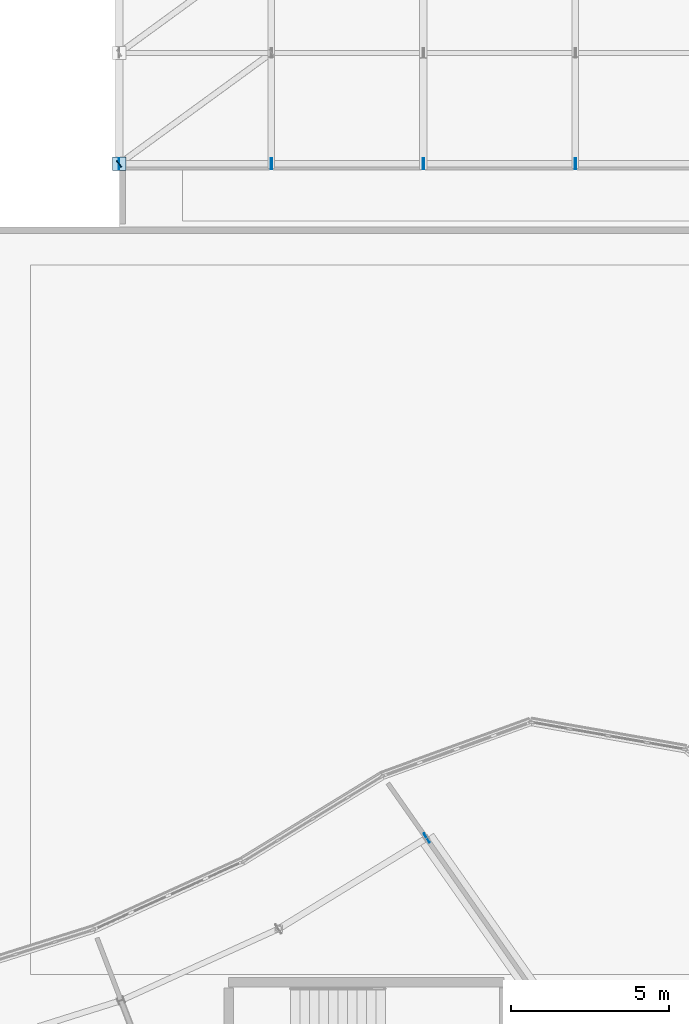
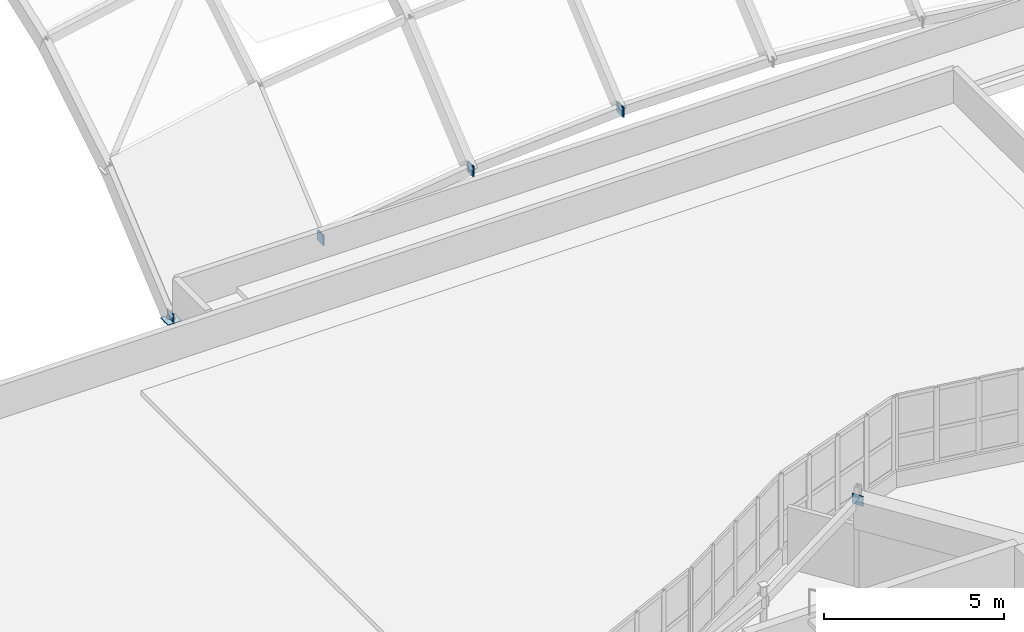
# One storey, part 87 of 128: 10 plates.
"""IFC4 building model written with IfcOpenShell, lengths in metres."""

from ifc_helpers import new_model, si_unit, direction, frame, origin, origin_2d, place, context, subcontext, project, spatial, rectangle, extrude, material, layer, layer_set, type_object, element, save


model = new_model("IFC4")

# Units and contexts
model_context = context("Model", 3, precision=1e-05, world=origin(), true_north=direction((0.0, 1.0)))
body_context = subcontext(model_context, "Body", "Model", "MODEL_VIEW")
ifc_project = project(units=[si_unit("LENGTHUNIT", "METRE"), si_unit("AREAUNIT", "SQUARE_METRE"), si_unit("VOLUMEUNIT", "CUBIC_METRE"), si_unit("PLANEANGLEUNIT", "RADIAN"), si_unit("MASSUNIT", "GRAM", prefix="KILO")], contexts=[model_context])

# Site, building, storey
site_placement = place(None, origin())
site = spatial("IfcSite", under=ifc_project, at=site_placement, CompositionType="ELEMENT")
building_placement = place(site_placement, origin())
building = spatial("IfcBuilding", under=site, at=building_placement, Name="Tarnwether General Hospital", CompositionType="ELEMENT")
storey_placement = place(building_placement, frame((0.0, 0.0, 14.39990234375)))
storey = spatial("IfcBuildingStorey", under=building, at=storey_placement, Name="L03", CompositionType="ELEMENT", Elevation=14.39990234375)

# Plates
ifc_material = material(Name="Steel Grade 350 (350 MPa)", Category="steel")
ifc_layer = layer(ifc_material, 0.02490234375)
ifc_layer_set = layer_set([ifc_layer], Name="Steel Grade 350 (350 MPa)")
plate_type = type_object("IfcPlateType", Name="PT-GUS2", PredefinedType="USERDEFINED", material=ifc_layer_set)
plate_1_placement = place(storey_placement, frame((108.0, 47.60009765625, -0.012451171875), z_axis=(0.0, 0.0, 1.0), x_axis=(1.0, 0.0, 0.0)))
element("IfcPlate", 1, at=plate_1_placement, inside=storey, type_object=plate_type, Name="Gridshell Star Gusset Node 048", ObjectType="GUSSET", PredefinedType="USERDEFINED", context=body_context, shape_type="SweptSolid", body=[
    extrude(rectangle(XDim=0.419921875, YDim=0.419921875, at=origin_2d()), origin(), (0.0, 0.0, 1.0), 0.02490234375),
])
for number, where, z_axis, x_axis, name in (
    (2, (117.706787109375, 26.30859375, 3.240234375), (0.0, 0.0, 1.0), (0.852649283545, 0.522483683258, 0.0), "Hollow Section Welded End Cap Plate 1124"),
    (3, (107.98779296875, 47.60009765625, -0.0625), (0.0, 0.0, 1.0), (1.0, 0.0, 0.0), "Hollow Section Welded End Cap Plate 1243"),
    (4, (112.812255859375, 47.60009765625, 0.92236328125), (0.0, 0.0, 1.0), (1.0, 0.0, 0.0), "Hollow Section Welded End Cap Plate 1244"),
    (5, (112.78759765625, 47.60009765625, 0.91796875), (0.0, 0.0, 1.0), (1.0, 0.0, 0.0), "Hollow Section Welded End Cap Plate 1245"),
    (6, (117.6123046875, 47.60009765625, 1.57421875), (0.0, 0.0, 1.0), (1.0, 0.0, 0.0), "Hollow Section Welded End Cap Plate 1246"),
    (7, (117.58740234375, 47.60009765625, 1.57177734375), (0.0, 0.0, 1.0), (1.0, 0.0, 0.0), "Hollow Section Welded End Cap Plate 1247"),
    (8, (122.41259765625, 47.60009765625, 1.89990234375), (0.0, 0.0, 1.0), (1.0, 0.0, 0.0), "Hollow Section Welded End Cap Plate 1248"),
    (9, (122.387451171875, 47.60009765625, 1.8994140625), (0.0, 0.0, 1.0), (1.0, 0.0, 0.0), "Hollow Section Welded End Cap Plate 1249"),
):
    element("IfcPlate", number, at=place(storey_placement, frame(where, z_axis=z_axis, x_axis=x_axis)), inside=storey, type_object=plate_type, Name=name, ObjectType="GUSSET", PredefinedType="USERDEFINED", context=body_context, shape_type="SweptSolid", body=[
        extrude(rectangle(XDim=0.02490234375, YDim=0.340087890625, at=origin_2d()), origin(), (0.0, 0.0, 1.0), 0.340087890625),
    ])
plate_2_placement = place(storey_placement, frame((107.99169921875, 47.593994140625, -0.123779296875), z_axis=(0.0, 0.0, 1.0), x_axis=(0.808010450239, 0.589168152827, 0.0)))
element("IfcPlate", 10, at=plate_2_placement, inside=storey, type_object=plate_type, Name="Hollow Section Welded End Cap Plate 1369", ObjectType="GUSSET", PredefinedType="USERDEFINED", context=body_context, shape_type="SweptSolid", body=[
    extrude(rectangle(XDim=0.02490234375, YDim=0.23388671875, at=origin_2d()), origin(), (0.0, 0.0, 1.0), 0.23388671875),
])

save(model, "model.ifc")
